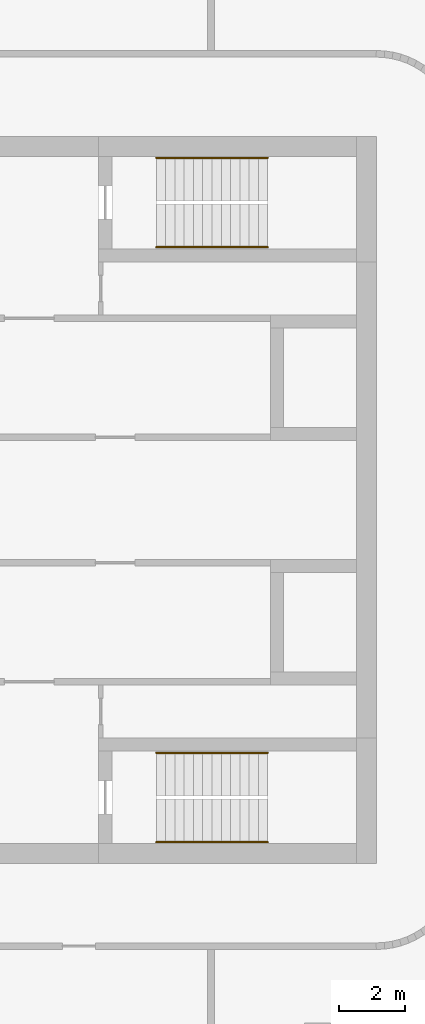
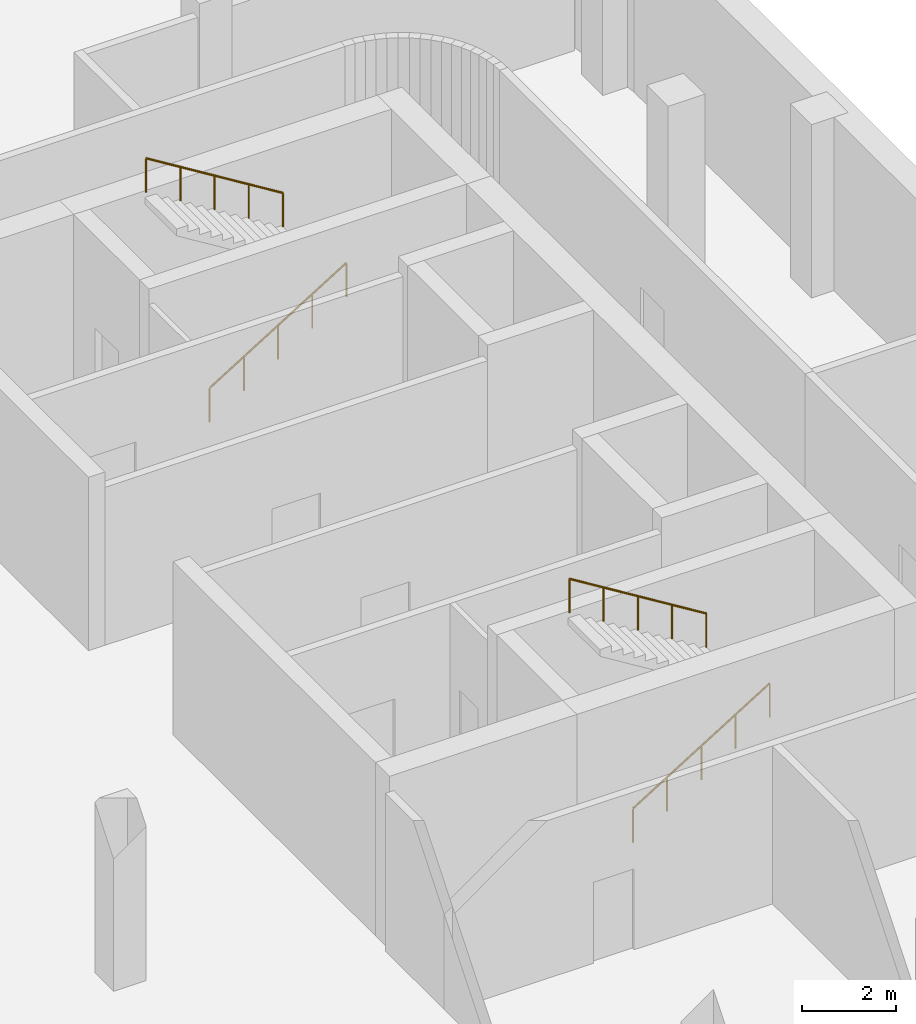
# One storey, part 16 of 16: 4 railings.
"""IFC4 building model written with IfcOpenShell, lengths in metres."""

from ifc_helpers import new_model, si_unit, direction, frame, origin, origin_2d, place, context, subcontext, project, spatial, circle, extrude, material, type_object, element, save


model = new_model("IFC4")

# Units and contexts
model_context = context("Model", 3, precision=1e-05, world=origin(), true_north=direction((0.0, 1.0)))
body_context = subcontext(model_context, "Body", "Model", "MODEL_VIEW")
ifc_project = project(units=[si_unit("LENGTHUNIT", "METRE"), si_unit("AREAUNIT", "SQUARE_METRE"), si_unit("VOLUMEUNIT", "CUBIC_METRE"), si_unit("PLANEANGLEUNIT", "RADIAN"), si_unit("MASSUNIT", "GRAM", prefix="KILO")], contexts=[model_context])

# Site, building, storey
site_placement = place(None, origin())
site = spatial("IfcSite", under=ifc_project, at=site_placement, CompositionType="ELEMENT")
building_placement = place(site_placement, origin())
building = spatial("IfcBuilding", under=site, at=building_placement, Name="Skarvind Civic Tower", CompositionType="ELEMENT")
storey_placement = place(building_placement, frame((0.0, 0.0, -4.5)))
storey = spatial("IfcBuildingStorey", under=building, at=storey_placement, Name="B1", CompositionType="ELEMENT", Elevation=-4.5)

# Railings
ifc_material = material(Name="Painted steel handrail", Category="steel")
railing_type = type_object("IfcRailingType", Name="Stair handrail 900", PredefinedType="HANDRAIL", material=ifc_material)
railing_1_placement = place(storey_placement, frame((160.35009765625, 135.64990234375, 0.173095703125)))
element("IfcRailing", 1, at=railing_1_placement, inside=storey, type_object=railing_type, Name="Stair handrail", PredefinedType="HANDRAIL", context=body_context, shape_type="SweptSolid", body=[
    extrude(circle(Radius=0.02392578125, at=origin_2d()), frame((0.0, 0.0, 0.8759765625), z_axis=(0.850606129759, 0.0, 0.525803396734), x_axis=(0.0, 1.0, 0.0)), (0.0, 0.0, 1.0), 3.949951171875),
    extrude(circle(Radius=0.02099609375, at=origin_2d()), origin(), (0.0, 0.0, 1.0), 0.851806640625),
    extrude(circle(Radius=0.02099609375, at=origin_2d()), frame((0.83984375, 0.0, 0.519287109375)), (0.0, 0.0, 1.0), 0.851806640625),
    extrude(circle(Radius=0.02099609375, at=origin_2d()), frame((1.679931640625, 0.0, 1.03857421875)), (0.0, 0.0, 1.0), 0.851806640625),
    extrude(circle(Radius=0.02099609375, at=origin_2d()), frame((2.52001953125, 0.0, 1.5576171875)), (0.0, 0.0, 1.0), 0.851806640625),
    extrude(circle(Radius=0.02099609375, at=origin_2d()), frame((3.35986328125, 0.0, 2.076904296875)), (0.0, 0.0, 1.0), 0.851806640625),
])
railing_2_placement = place(storey_placement, frame((163.7099609375, 138.35009765625, 2.423095703125)))
element("IfcRailing", 2, at=railing_2_placement, inside=storey, type_object=railing_type, Name="Stair handrail", PredefinedType="HANDRAIL", context=body_context, shape_type="SweptSolid", body=[
    extrude(circle(Radius=0.02392578125, at=origin_2d()), frame((0.0, 0.0, 0.8759765625), z_axis=(-0.850606129759, 0.0, 0.525803396734), x_axis=(0.0, -1.0, 0.0)), (0.0, 0.0, 1.0), 3.949951171875),
    extrude(circle(Radius=0.02099609375, at=origin_2d()), origin(), (0.0, 0.0, 1.0), 0.851806640625),
    extrude(circle(Radius=0.02099609375, at=origin_2d()), frame((-0.83984375, 0.0, 0.519287109375)), (0.0, 0.0, 1.0), 0.851806640625),
    extrude(circle(Radius=0.02099609375, at=origin_2d()), frame((-1.679931640625, 0.0, 1.03857421875)), (0.0, 0.0, 1.0), 0.851806640625),
    extrude(circle(Radius=0.02099609375, at=origin_2d()), frame((-2.52001953125, 0.0, 1.5576171875)), (0.0, 0.0, 1.0), 0.851806640625),
    extrude(circle(Radius=0.02099609375, at=origin_2d()), frame((-3.35986328125, 0.0, 2.076904296875)), (0.0, 0.0, 1.0), 0.851806640625),
])
railing_3_placement = place(storey_placement, frame((160.35009765625, 117.64990234375, 0.173095703125)))
element("IfcRailing", 3, at=railing_3_placement, inside=storey, type_object=railing_type, Name="Stair handrail", PredefinedType="HANDRAIL", context=body_context, shape_type="SweptSolid", body=[
    extrude(circle(Radius=0.02392578125, at=origin_2d()), frame((0.0, 0.0, 0.8759765625), z_axis=(0.850606129759, 0.0, 0.525803396734), x_axis=(0.0, 1.0, 0.0)), (0.0, 0.0, 1.0), 3.949951171875),
    extrude(circle(Radius=0.02099609375, at=origin_2d()), origin(), (0.0, 0.0, 1.0), 0.851806640625),
    extrude(circle(Radius=0.02099609375, at=origin_2d()), frame((0.83984375, 0.0, 0.519287109375)), (0.0, 0.0, 1.0), 0.851806640625),
    extrude(circle(Radius=0.02099609375, at=origin_2d()), frame((1.679931640625, 0.0, 1.03857421875)), (0.0, 0.0, 1.0), 0.851806640625),
    extrude(circle(Radius=0.02099609375, at=origin_2d()), frame((2.52001953125, 0.0, 1.5576171875)), (0.0, 0.0, 1.0), 0.851806640625),
    extrude(circle(Radius=0.02099609375, at=origin_2d()), frame((3.35986328125, 0.0, 2.076904296875)), (0.0, 0.0, 1.0), 0.851806640625),
])
railing_4_placement = place(storey_placement, frame((163.7099609375, 120.35009765625, 2.423095703125)))
element("IfcRailing", 4, at=railing_4_placement, inside=storey, type_object=railing_type, Name="Stair handrail", PredefinedType="HANDRAIL", context=body_context, shape_type="SweptSolid", body=[
    extrude(circle(Radius=0.02392578125, at=origin_2d()), frame((0.0, 0.0, 0.8759765625), z_axis=(-0.850606129759, 0.0, 0.525803396734), x_axis=(0.0, -1.0, 0.0)), (0.0, 0.0, 1.0), 3.949951171875),
    extrude(circle(Radius=0.02099609375, at=origin_2d()), origin(), (0.0, 0.0, 1.0), 0.851806640625),
    extrude(circle(Radius=0.02099609375, at=origin_2d()), frame((-0.83984375, 0.0, 0.519287109375)), (0.0, 0.0, 1.0), 0.851806640625),
    extrude(circle(Radius=0.02099609375, at=origin_2d()), frame((-1.679931640625, 0.0, 1.03857421875)), (0.0, 0.0, 1.0), 0.851806640625),
    extrude(circle(Radius=0.02099609375, at=origin_2d()), frame((-2.52001953125, 0.0, 1.5576171875)), (0.0, 0.0, 1.0), 0.851806640625),
    extrude(circle(Radius=0.02099609375, at=origin_2d()), frame((-3.35986328125, 0.0, 2.076904296875)), (0.0, 0.0, 1.0), 0.851806640625),
])

save(model, "model.ifc")
